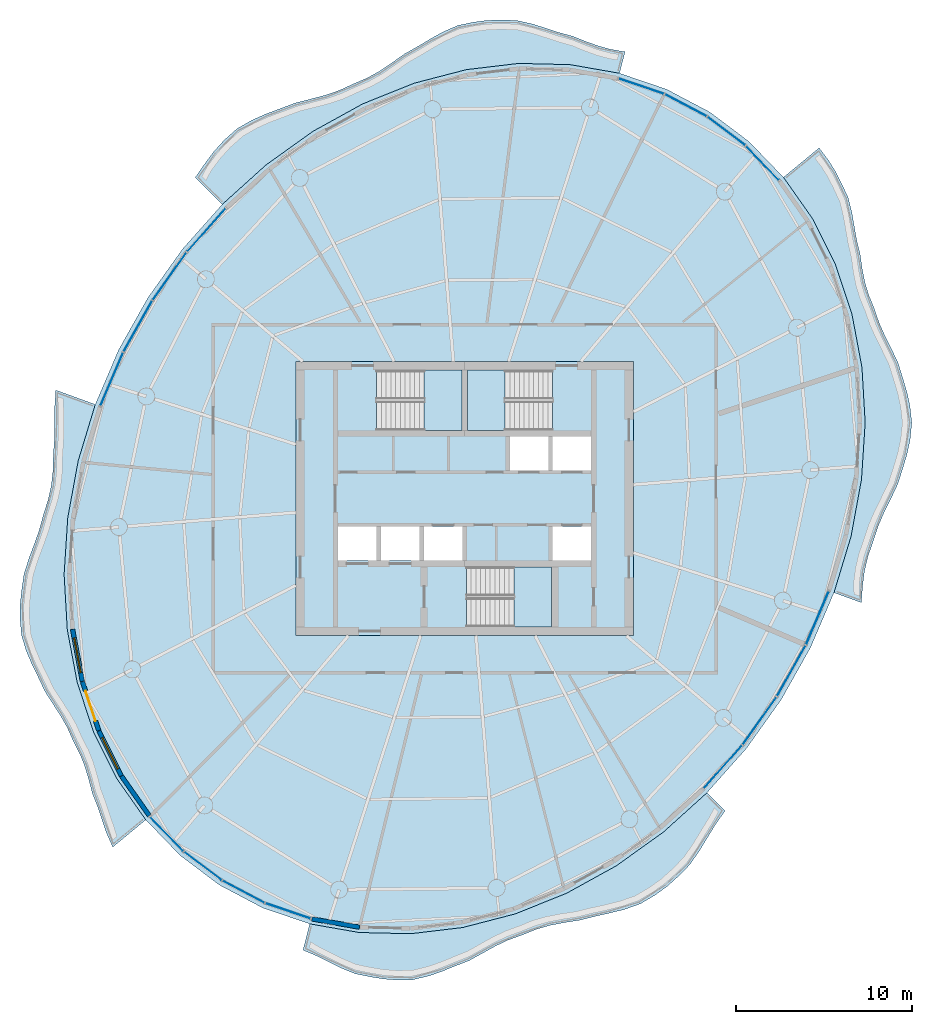
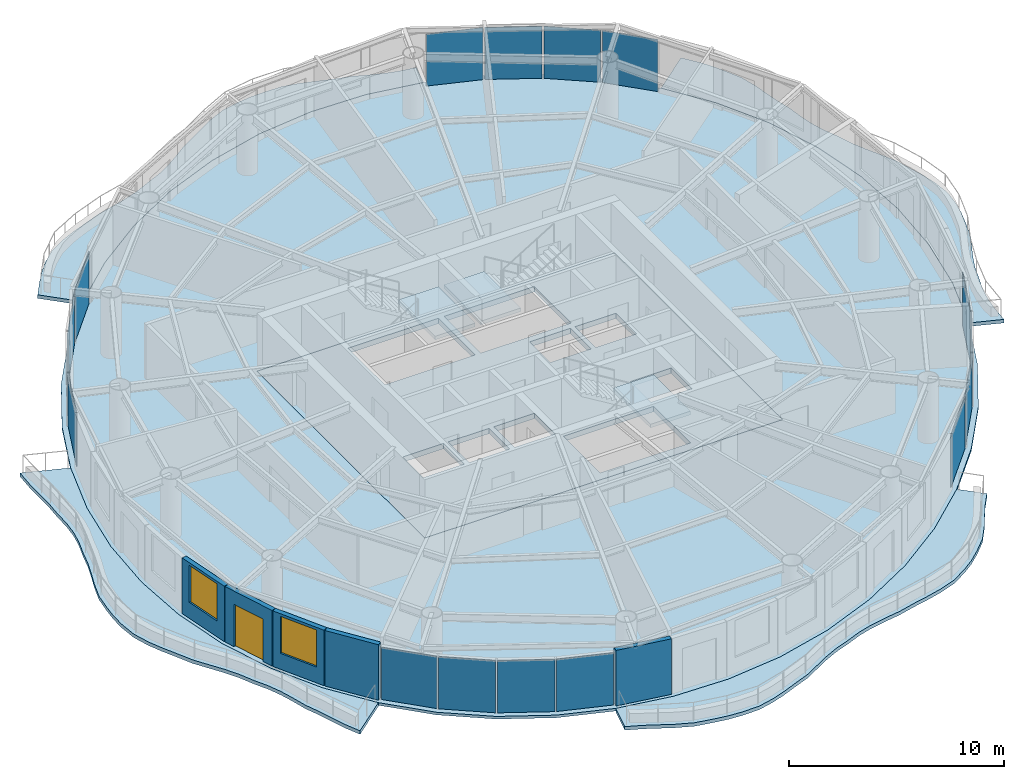
# One storey, part 7 of 14: 16 plates, 9 slabs, 5 walls, 2 windows, 1 door, 3 openings, 19 elements without a shape of their own.
"""IFC4 building model written with IfcOpenShell, lengths in metres."""

from ifc_helpers import new_model, si_unit, direction, frame, frame_2d, origin, origin_2d, place, context, subcontext, project, spatial, polyline, rectangle, outline, extrude, material, layer, layer_set, type_object, element, fill, aggregate, save


model = new_model("IFC4")

# Units and contexts
model_context = context("Model", 3, precision=1e-05, world=origin(), true_north=direction((0.0, 1.0)))
body_context = subcontext(model_context, "Body", "Model", "MODEL_VIEW")
ifc_project = project(units=[si_unit("LENGTHUNIT", "METRE"), si_unit("AREAUNIT", "SQUARE_METRE"), si_unit("VOLUMEUNIT", "CUBIC_METRE"), si_unit("PLANEANGLEUNIT", "RADIAN"), si_unit("MASSUNIT", "GRAM", prefix="KILO")], contexts=[model_context])

# Site, building, storey
site_placement = place(None, origin())
site = spatial("IfcSite", under=ifc_project, at=site_placement, CompositionType="ELEMENT")
building_placement = place(site_placement, origin())
building = spatial("IfcBuilding", under=site, at=building_placement, Name="Vermilion Reach Broadcast Tower", CompositionType="ELEMENT")
storey_placement = place(building_placement, frame((0.0, 0.0, 264.89990234375)))
storey = spatial("IfcBuildingStorey", under=building, at=storey_placement, Name="L65", CompositionType="ELEMENT", Elevation=264.89990234375)

# Slabs
ifc_material_1 = material(Name="Concrete C40/50", Category="concrete")
ifc_layer_1 = layer(ifc_material_1, 0.199951171875)
ifc_layer_set_1 = layer_set([ifc_layer_1], Name="Balcony slab 200")
slab_type_1 = type_object("IfcSlabType", Name="Balcony slab 200", PredefinedType="FLOOR", material=ifc_layer_set_1)
placement_1 = place(storey_placement, frame((0.0, 0.0, -0.199951171875)))
element("IfcSlab", 1, at=placement_1, inside=storey, type_object=slab_type_1, Name="Balcony slab L65 group 1", PredefinedType="FLOOR", context=body_context, shape_type="SweptSolid", body=[
    extrude(outline(polyline([(2.812744140625, 24.19140625), (-0.005126953125, 24.68310546875), (-2.92529296875, 24.75244140625), (-5.898193359375, 24.398193359375), (-8.872802734375, 23.626708984375), (-11.79833984375, 22.45068359375), (-14.62451171875, 20.890625), (-17.30322265625, 18.97314453125), (-19.78857421875, 16.73095703125), (-21.32763671875, 18.259765625), (-20.767822265625, 19.06591796875), (-20.25732421875, 19.749267578125), (-19.693603515625, 20.37353515625), (-18.958251953125, 21.02978515625), (-18.11328125, 21.51953125), (-17.344970703125, 21.861328125), (-16.54541015625, 22.159423828125), (-15.640625, 22.501220703125), (-14.7216796875, 22.73681640625), (-13.917236328125, 22.949462890625), (-13.141845703125, 23.214599609375), (-12.336669921875, 23.584716796875), (-11.541259765625, 23.925048828125), (-10.8466796875, 24.310302734375), (-10.177490234375, 24.758544921875), (-9.421630859375, 25.2939453125), (-8.627197265625, 25.739501953125), (-7.94091796875, 26.1533203125), (-7.2470703125, 26.538818359375), (-6.372802734375, 26.918212890625), (-5.467041015625, 27.10546875), (-4.724609375, 27.2001953125), (-3.973388671875, 27.22216796875), (-3.04150390625, 27.198974609375), (-2.1416015625, 26.9970703125), (-1.41650390625, 26.767822265625), (-0.691650390625, 26.528564453125), (0.154296875, 26.298583984375), (0.94775390625, 25.984130859375), (1.630859375, 25.738525390625), (2.32421875, 25.552734375), (3.12548828125, 25.416015625), (2.812744140625, 24.19140625)])), origin(), (0.0, 0.0, 1.0), 0.199951171875),
])
element("IfcSlab", 2, at=placement_1, inside=storey, type_object=slab_type_1, Name="Balcony slab L65 group 2", PredefinedType="FLOOR", context=body_context, shape_type="SweptSolid", body=[
    extrude(outline(polyline([(-27.009521484375, 5.3525390625), (-27.980224609375, 2.149169921875), (-28.57470703125, -1.091064453125), (-28.78271484375, -4.3125), (-28.60107421875, -7.460205078125), (-28.03271484375, -10.48046875), (-27.08740234375, -13.321044921875), (-25.78125, -15.933837890625), (-24.13671875, -18.274169921875), (-26.015869140625, -19.824462890625), (-26.387939453125, -18.982177734375), (-26.62841796875, -18.277099609375), (-26.861572265625, -17.567138671875), (-27.17431640625, -16.76513671875), (-27.397216796875, -15.92529296875), (-27.61181640625, -15.216064453125), (-27.883544921875, -14.535400390625), (-28.258056640625, -13.8056640625), (-28.599365234375, -13.035400390625), (-28.972900390625, -12.370849609375), (-29.392578125, -11.7216796875), (-29.880126953125, -10.959228515625), (-30.274169921875, -10.120361328125), (-30.624267578125, -9.404541015625), (-30.930908203125, -8.680419921875), (-31.206787109375, -7.779296875), (-31.291259765625, -6.825927734375), (-31.28466796875, -6.0361328125), (-31.2021484375, -5.24169921875), (-31.067138671875, -4.3046875), (-30.773193359375, -3.375244140625), (-30.476806640625, -2.585693359375), (-30.1982421875, -1.794921875), (-29.96044921875, -0.919677734375), (-29.68505859375, -0.050048828125), (-29.50830078125, 0.7548828125), (-29.41943359375, 1.575927734375), (-29.39599609375, 2.4921875), (-29.32958984375, 3.432373046875), (-29.323486328125, 4.3046875), (-29.322021484375, 5.1787109375), (-29.255859375, 6.169921875), (-27.009521484375, 5.3525390625)])), origin(), (0.0, 0.0, 1.0), 0.199951171875),
])
element("IfcSlab", 3, at=placement_1, inside=storey, type_object=slab_type_1, Name="Balcony slab L65 group 3", PredefinedType="FLOOR", context=body_context, shape_type="SweptSolid", body=[
    extrude(outline(polyline([(-14.812744140625, -24.19140625), (-11.994873046875, -24.68310546875), (-9.07470703125, -24.75244140625), (-6.101806640625, -24.398193359375), (-3.127197265625, -23.626708984375), (-0.20166015625, -22.45068359375), (2.62451171875, -20.890625), (5.30322265625, -18.97314453125), (7.78857421875, -16.73095703125), (8.81982421875, -17.75537109375), (8.27880859375, -18.52392578125), (7.82275390625, -19.267333984375), (7.370361328125, -20.015380859375), (6.7998046875, -20.8330078125), (6.1171875, -21.525146484375), (5.49951171875, -22.0771484375), (4.83056640625, -22.557373046875), (3.98876953125, -23.05322265625), (3.07421875, -23.37548828125), (2.26416015625, -23.577880859375), (1.4404296875, -23.755859375), (0.52685546875, -23.9853515625), (-0.377197265625, -24.127685546875), (-1.164794921875, -24.281494140625), (-1.926025390625, -24.50146484375), (-2.732177734375, -24.82666015625), (-3.534423828125, -25.116455078125), (-4.2412109375, -25.451416015625), (-4.93505859375, -25.836181640625), (-5.746826171875, -26.2822265625), (-6.592041015625, -26.61083984375), (-7.310791015625, -26.904052734375), (-8.03466796875, -27.156005859375), (-8.950439453125, -27.37109375), (-9.86767578125, -27.38427734375), (-10.596923828125, -27.33154296875), (-11.324462890625, -27.2119140625), (-12.226318359375, -27.031494140625), (-13.0703125, -26.68603515625), (-13.73779296875, -26.35107421875), (-14.4052734375, -26.016845703125), (-15.193603515625, -25.683349609375), (-14.812744140625, -24.19140625)])), origin(), (0.0, 0.0, 1.0), 0.199951171875),
])
element("IfcSlab", 4, at=placement_1, inside=storey, type_object=slab_type_1, Name="Balcony slab L65 group 4", PredefinedType="FLOOR", context=body_context, shape_type="SweptSolid", body=[
    extrude(outline(polyline([(15.009521484375, -5.3525390625), (15.980224609375, -2.149169921875), (16.57470703125, 1.091064453125), (16.78271484375, 4.3125), (16.60107421875, 7.460205078125), (16.03271484375, 10.48046875), (15.08740234375, 13.321044921875), (13.78125, 15.933837890625), (12.13671875, 18.274169921875), (14.164306640625, 19.947265625), (14.7158203125, 19.212646484375), (15.095458984375, 18.60546875), (15.422607421875, 17.96142578125), (15.806640625, 17.142822265625), (16.033203125, 16.2431640625), (16.162841796875, 15.491455078125), (16.2939453125, 14.74072265625), (16.494873046875, 13.903564453125), (16.619140625, 13.0419921875), (16.767822265625, 12.302490234375), (16.984130859375, 11.585693359375), (17.298828125, 10.80859375), (17.580322265625, 9.98974609375), (17.902099609375, 9.2685546875), (18.260986328125, 8.554443359375), (18.6572265625, 7.712158203125), (18.935791015625, 6.805419921875), (19.16650390625, 6.029296875), (19.33544921875, 5.24951171875), (19.4375, 4.303466796875), (19.338623046875, 3.338623046875), (19.1689453125, 2.541015625), (18.932373046875, 1.74755859375), (18.64404296875, 0.835205078125), (18.227294921875, -0.04931640625), (17.847412109375, -0.817138671875), (17.51220703125, -1.5927734375), (17.23193359375, -2.45263671875), (16.934326171875, -3.3125), (16.74609375, -4.1298828125), (16.638916015625, -4.9716796875), (16.568603515625, -5.919921875), (15.009521484375, -5.3525390625)])), origin(), (0.0, 0.0, 1.0), 0.199951171875),
])
ifc_material_2 = material(Name="Concrete C40", Category="concrete")
ifc_layer_2 = layer(ifc_material_2, 0.300048828125)
ifc_layer_set_2 = layer_set([ifc_layer_2], Name="Core floor slab 300 mm Concrete C40")
slab_type_2 = type_object("IfcSlabType", Name="Core floor slab 300 mm Concrete C40", PredefinedType="FLOOR", material=ifc_layer_set_2)
slab_5_placement = place(storey_placement, frame((0.0, 0.0, -0.2998046875)))
element("IfcSlab", 5, at=slab_5_placement, inside=storey, type_object=slab_type_2, Name="L65 core floor", PredefinedType="FLOOR", context=body_context, shape_type="SweptSolid", body=[
    extrude(outline(polyline([(-15.60009765625, -7.800048828125), (3.60009765625, -7.800048828125), (3.60009765625, 7.800048828125), (-15.60009765625, 7.800048828125), (-15.60009765625, -7.800048828125)]), holes=[polyline([(-3.433349609375, 1.60009765625), (-1.24169921875, 1.60009765625), (-1.24169921875, 3.530029296875), (-3.433349609375, 3.530029296875), (-3.433349609375, 1.60009765625)]), polyline([(-0.99169921875, 1.60009765625), (1.199951171875, 1.60009765625), (1.199951171875, 3.530029296875), (-0.99169921875, 3.530029296875), (-0.99169921875, 1.60009765625)]), polyline([(-13.199951171875, -3.530029296875), (-11.00830078125, -3.530029296875), (-11.00830078125, -1.60009765625), (-13.199951171875, -1.60009765625), (-13.199951171875, -3.530029296875)]), polyline([(-10.75830078125, -3.530029296875), (-8.566650390625, -3.530029296875), (-8.566650390625, -1.60009765625), (-10.75830078125, -1.60009765625), (-10.75830078125, -3.530029296875)]), polyline([(-8.316650390625, -3.530029296875), (-6.125, -3.530029296875), (-6.125, -1.60009765625), (-8.316650390625, -1.60009765625), (-8.316650390625, -3.530029296875)]), polyline([(-0.99169921875, -3.530029296875), (1.199951171875, -3.530029296875), (1.199951171875, -1.60009765625), (-0.99169921875, -1.60009765625), (-0.99169921875, -3.530029296875)]), polyline([(-10.999267578125, 3.8798828125), (-6.14990234375, 3.8798828125), (-6.14990234375, 7.300048828125), (-10.999267578125, 7.300048828125), (-10.999267578125, 3.8798828125)]), polyline([(-1.000732421875, 7.300048828125), (-5.85009765625, 7.300048828125), (-5.85009765625, 3.8798828125), (-1.000732421875, 3.8798828125), (-1.000732421875, 7.300048828125)]), polyline([(-5.8994140625, -7.300048828125), (-1.050048828125, -7.300048828125), (-1.050048828125, -3.8798828125), (-5.8994140625, -3.8798828125), (-5.8994140625, -7.300048828125)])]), origin(), (0.0, 0.0, 1.0), 0.2998046875),
])

# Stair, slab
ifc_material_3 = material(Name="Concrete C40", Category="concrete")
stair_type = type_object("IfcStairType", Name="Exit stair RC 22 risers 164 mm", PredefinedType="HALF_TURN_STAIR", material=ifc_material_3)
placement_2 = place(storey_placement, origin())
stair_1 = element("IfcStair", 6, at=placement_2, inside=storey, type_object=stair_type, Name="L65 Exit stair ST1", PredefinedType="HALF_TURN_STAIR")
ifc_material_4 = material(Name="Concrete C40", Category="concrete")
ifc_layer_3 = layer(ifc_material_4, 0.199951171875)
ifc_layer_set_3 = layer_set([ifc_layer_3], Name="Exit stair landing Concrete C40")
slab_type_3 = type_object("IfcSlabType", Name="Exit stair landing Concrete C40", PredefinedType="LANDING", material=ifc_layer_set_3)
placement_3 = place(storey_placement, frame((0.0, 0.0, 1.60009765625)))
slab_6 = element("IfcSlab", 7, at=placement_3, type_object=slab_type_3, Name="ST1 landing 1", PredefinedType="LANDING", context=body_context, shape_type="SweptSolid", body=[
    extrude(outline(polyline([(-8.300048828125, 3.8798828125), (-6.14990234375, 3.8798828125), (-6.14990234375, 7.300048828125), (-8.300048828125, 7.300048828125), (-8.300048828125, 3.8798828125)])), origin(), (0.0, 0.0, 1.0), 0.199951171875),
])
aggregate(stair_1, [slab_6])

stair_2 = element("IfcStair", 8, at=placement_2, inside=storey, type_object=stair_type, Name="L65 Exit stair ST2", PredefinedType="HALF_TURN_STAIR")
slab_7 = element("IfcSlab", 9, at=placement_3, type_object=slab_type_3, Name="ST2 landing 1", PredefinedType="LANDING", context=body_context, shape_type="SweptSolid", body=[
    extrude(outline(polyline([(-3.699951171875, 7.300048828125), (-5.85009765625, 7.300048828125), (-5.85009765625, 3.8798828125), (-3.699951171875, 3.8798828125), (-3.699951171875, 7.300048828125)])), origin(), (0.0, 0.0, 1.0), 0.199951171875),
])
aggregate(stair_2, [slab_7])

stair_3 = element("IfcStair", 10, at=placement_2, inside=storey, type_object=stair_type, Name="L65 Exit stair ST3", PredefinedType="HALF_TURN_STAIR")
slab_8 = element("IfcSlab", 11, at=placement_3, type_object=slab_type_3, Name="ST3 landing 1", PredefinedType="LANDING", context=body_context, shape_type="SweptSolid", body=[
    extrude(outline(polyline([(-3.199951171875, -7.300048828125), (-1.050048828125, -7.300048828125), (-1.050048828125, -3.8798828125), (-3.199951171875, -3.8798828125), (-3.199951171875, -7.300048828125)])), origin(), (0.0, 0.0, 1.0), 0.199951171875),
])
aggregate(stair_3, [slab_8])

# Slab
ifc_material_5 = material(Name="Concrete C40", Category="concrete")
ifc_layer_4 = layer(ifc_material_5, 0.14990234375)
ifc_layer_set_4 = layer_set([ifc_layer_4], Name="Floor slab Concrete C40 composite 150")
slab_type_4 = type_object("IfcSlabType", Name="Floor slab Concrete C40 composite 150", PredefinedType="FLOOR", material=ifc_layer_set_4)
slab_9_placement = place(storey_placement, frame((0.0, 0.0, -0.14990234375)))
element("IfcSlab", 12, at=slab_9_placement, inside=storey, type_object=slab_type_4, Name="Floor slab L65", PredefinedType="FLOOR", context=body_context, shape_type="SweptSolid", body=[
    extrude(outline(polyline([(7.949951171875, 21.981689453125), (5.4794921875, 23.285888671875), (2.812744140625, 24.19140625), (-0.005126953125, 24.68310546875), (-2.92529296875, 24.75244140625), (-5.898193359375, 24.398193359375), (-8.872802734375, 23.626708984375), (-11.79833984375, 22.45068359375), (-14.62451171875, 20.890625), (-17.30322265625, 18.97314453125), (-19.78857421875, 16.73095703125), (-22.037841796875, 14.20263671875), (-24.012939453125, 11.431396484375), (-25.6796875, 8.46435546875), (-27.009521484375, 5.3525390625), (-27.980224609375, 2.149169921875), (-28.57470703125, -1.091064453125), (-28.78271484375, -4.3125), (-28.60107421875, -7.460205078125), (-28.03271484375, -10.48046875), (-27.08740234375, -13.321044921875), (-25.78125, -15.933837890625), (-24.13671875, -18.274169921875), (-22.181884765625, -20.301513671875), (-19.949951171875, -21.981689453125), (-17.4794921875, -23.285888671875), (-14.812744140625, -24.19140625), (-11.994873046875, -24.68310546875), (-9.07470703125, -24.75244140625), (-6.101806640625, -24.398193359375), (-3.127197265625, -23.626708984375), (-0.20166015625, -22.45068359375), (2.62451171875, -20.890625), (5.30322265625, -18.97314453125), (7.78857421875, -16.73095703125), (10.037841796875, -14.20263671875), (12.012939453125, -11.431396484375), (13.6796875, -8.46435546875), (15.009521484375, -5.3525390625), (15.980224609375, -2.149169921875), (16.57470703125, 1.091064453125), (16.78271484375, 4.3125), (16.60107421875, 7.460205078125), (16.03271484375, 10.48046875), (15.08740234375, 13.321044921875), (13.78125, 15.933837890625), (12.13671875, 18.274169921875), (10.181884765625, 20.301513671875), (7.949951171875, 21.981689453125)]), holes=[polyline([(-15.60009765625, -7.800048828125), (3.60009765625, -7.800048828125), (3.60009765625, 7.800048828125), (-15.60009765625, 7.800048828125), (-15.60009765625, -7.800048828125)])]), origin(), (0.0, 0.0, 1.0), 0.14990234375),
])

# Curtain wall, plate
ifc_material_6 = material(Name="Low-e laminated clear glass in aluminium frame", Category="aluminium")
curtain_wall_type = type_object("IfcCurtainWallType", Name="Slot curtain wall", PredefinedType="NOTDEFINED", material=ifc_material_6)
curtain_wall_1 = element("IfcCurtainWall", 13, at=placement_2, inside=storey, type_object=curtain_wall_type, Name="Slot curtain wall L65 46", PredefinedType="NOTDEFINED")
ifc_material_7 = material(Name="Low-e laminated clear glass", Category="glass")
ifc_layer_5 = layer(ifc_material_7, 0.028076171875)
ifc_layer_set_5 = layer_set([ifc_layer_5], Name="Slot glass panel")
plate_type = type_object("IfcPlateType", Name="Slot glass panel", PredefinedType="CURTAIN_PANEL", material=ifc_layer_set_5)
plate_1_placement = place(storey_placement, frame((10.944091796875, 19.080078125, 0.0), z_axis=(0.0, 0.0, 1.0), x_axis=(-0.694098684094, 0.719879862712, 0.0)))
plate_1 = element("IfcPlate", 14, at=plate_1_placement, type_object=plate_type, Name="Slot glass panel L65 46", PredefinedType="CURTAIN_PANEL", context=body_context, shape_type="SweptSolid", body=[
    extrude(rectangle(XDim=2.689453125, YDim=0.028076171875, at=origin_2d()), origin(), (0.0, 0.0, 1.0), 2.949951171875),
])
aggregate(curtain_wall_1, [plate_1])

curtain_wall_2 = element("IfcCurtainWall", 15, at=placement_2, inside=storey, type_object=curtain_wall_type, Name="Slot curtain wall L65 47", PredefinedType="NOTDEFINED")
plate_2_placement = place(storey_placement, frame((8.88623046875, 20.90283203125, 0.0), z_axis=(0.0, 0.0, 1.0), x_axis=(-0.798916430414, 0.601442048093, 0.0)))
plate_2 = element("IfcPlate", 16, at=plate_2_placement, type_object=plate_type, Name="Slot glass panel L65 47", PredefinedType="CURTAIN_PANEL", context=body_context, shape_type="SweptSolid", body=[
    extrude(rectangle(XDim=2.665771484375, YDim=0.028076171875, at=origin_2d()), origin(), (0.0, 0.0, 1.0), 2.949951171875),
])
aggregate(curtain_wall_2, [plate_2])

curtain_wall_3 = element("IfcCurtainWall", 17, at=placement_2, inside=storey, type_object=curtain_wall_type, Name="Slot curtain wall L65 00", PredefinedType="NOTDEFINED")
plate_3_placement = place(storey_placement, frame((6.5751953125, 22.369384765625, 0.0), z_axis=(0.0, 0.0, 1.0), x_axis=(-0.884363040698, 0.466799756049, 0.0)))
plate_3 = element("IfcPlate", 18, at=plate_3_placement, type_object=plate_type, Name="Slot glass panel L65 00", PredefinedType="CURTAIN_PANEL", context=body_context, shape_type="SweptSolid", body=[
    extrude(rectangle(XDim=2.665771484375, YDim=0.028076171875, at=origin_2d()), origin(), (0.0, 0.0, 1.0), 2.949951171875),
])
aggregate(curtain_wall_3, [plate_3])

curtain_wall_4 = element("IfcCurtainWall", 19, at=placement_2, inside=storey, type_object=curtain_wall_type, Name="Slot curtain wall L65 01", PredefinedType="NOTDEFINED")
plate_4_placement = place(storey_placement, frame((4.0498046875, 23.455322265625, 0.0), z_axis=(0.0, 0.0, 1.0), x_axis=(-0.946899691269, 0.321529119481, 0.0)))
plate_4 = element("IfcPlate", 20, at=plate_4_placement, type_object=plate_type, Name="Slot glass panel L65 01", PredefinedType="CURTAIN_PANEL", context=body_context, shape_type="SweptSolid", body=[
    extrude(rectangle(XDim=2.689453125, YDim=0.028076171875, at=origin_2d()), origin(), (0.0, 0.0, 1.0), 2.949951171875),
])
aggregate(curtain_wall_4, [plate_4])

curtain_wall_5 = element("IfcCurtainWall", 21, at=placement_2, inside=storey, type_object=curtain_wall_type, Name="Slot curtain wall L65 10", PredefinedType="NOTDEFINED")
plate_5_placement = place(storey_placement, frame((-20.689453125, 15.267822265625, 0.0), z_axis=(0.0, 0.0, 1.0), x_axis=(-0.664676834087, -0.747130983314, 0.0)))
plate_5 = element("IfcPlate", 22, at=plate_5_placement, type_object=plate_type, Name="Slot glass panel L65 10", PredefinedType="CURTAIN_PANEL", context=body_context, shape_type="SweptSolid", body=[
    extrude(rectangle(XDim=3.271484375, YDim=0.028076171875, at=origin_2d()), origin(), (0.0, 0.0, 1.0), 2.949951171875),
])
aggregate(curtain_wall_5, [plate_5])

curtain_wall_6 = element("IfcCurtainWall", 23, at=placement_2, inside=storey, type_object=curtain_wall_type, Name="Slot curtain wall L65 11", PredefinedType="NOTDEFINED")
plate_6_placement = place(storey_placement, frame((-22.781494140625, 12.64306640625, 0.0), z_axis=(0.0, 0.0, 1.0), x_axis=(-0.580337878768, -0.814375801744, 0.0)))
plate_6 = element("IfcPlate", 24, at=plate_6_placement, type_object=plate_type, Name="Slot glass panel L65 11", PredefinedType="CURTAIN_PANEL", context=body_context, shape_type="SweptSolid", body=[
    extrude(rectangle(XDim=3.290771484375, YDim=0.028076171875, at=origin_2d()), origin(), (0.0, 0.0, 1.0), 2.949951171875),
])
aggregate(curtain_wall_6, [plate_6])

curtain_wall_7 = element("IfcCurtainWall", 25, at=placement_2, inside=storey, type_object=curtain_wall_type, Name="Slot curtain wall L65 12", PredefinedType="NOTDEFINED")
plate_7_placement = place(storey_placement, frame((-24.5849609375, 9.801025390625, 0.0), z_axis=(0.0, 0.0, 1.0), x_axis=(-0.489773395541, -0.871849769754, 0.0)))
plate_7 = element("IfcPlate", 26, at=plate_7_placement, type_object=plate_type, Name="Slot glass panel L65 12", PredefinedType="CURTAIN_PANEL", context=body_context, shape_type="SweptSolid", body=[
    extrude(rectangle(XDim=3.290771484375, YDim=0.028076171875, at=origin_2d()), origin(), (0.0, 0.0, 1.0), 2.949951171875),
])
aggregate(curtain_wall_7, [plate_7])

curtain_wall_8 = element("IfcCurtainWall", 27, at=placement_2, inside=storey, type_object=curtain_wall_type, Name="Slot curtain wall L65 13", PredefinedType="NOTDEFINED")
plate_8_placement = place(storey_placement, frame((-26.069091796875, 6.790771484375, 0.0), z_axis=(0.0, 0.0, 1.0), x_axis=(-0.393018640522, -0.919530504226, 0.0)))
plate_8 = element("IfcPlate", 28, at=plate_8_placement, type_object=plate_type, Name="Slot glass panel L65 13", PredefinedType="CURTAIN_PANEL", context=body_context, shape_type="SweptSolid", body=[
    extrude(rectangle(XDim=3.271484375, YDim=0.028076171875, at=origin_2d()), origin(), (0.0, 0.0, 1.0), 2.949951171875),
])
aggregate(curtain_wall_8, [plate_8])

curtain_wall_9 = element("IfcCurtainWall", 29, at=placement_2, inside=storey, type_object=curtain_wall_type, Name="Slot curtain wall L65 22", PredefinedType="NOTDEFINED")
plate_9_placement = place(storey_placement, frame((-22.944091796875, -19.080078125, 0.0), z_axis=(0.0, 0.0, 1.0), x_axis=(0.694098684094, -0.719879862712, 0.0)))
plate_9 = element("IfcPlate", 30, at=plate_9_placement, type_object=plate_type, Name="Slot glass panel L65 22", PredefinedType="CURTAIN_PANEL", context=body_context, shape_type="SweptSolid", body=[
    extrude(rectangle(XDim=2.689453125, YDim=0.028076171875, at=origin_2d()), origin(), (0.0, 0.0, 1.0), 2.949951171875),
])
aggregate(curtain_wall_9, [plate_9])

curtain_wall_10 = element("IfcCurtainWall", 31, at=placement_2, inside=storey, type_object=curtain_wall_type, Name="Slot curtain wall L65 23", PredefinedType="NOTDEFINED")
plate_10_placement = place(storey_placement, frame((-20.88623046875, -20.90283203125, 0.0), z_axis=(0.0, 0.0, 1.0), x_axis=(0.798916430414, -0.601442048093, 0.0)))
plate_10 = element("IfcPlate", 32, at=plate_10_placement, type_object=plate_type, Name="Slot glass panel L65 23", PredefinedType="CURTAIN_PANEL", context=body_context, shape_type="SweptSolid", body=[
    extrude(rectangle(XDim=2.665771484375, YDim=0.028076171875, at=origin_2d()), origin(), (0.0, 0.0, 1.0), 2.949951171875),
])
aggregate(curtain_wall_10, [plate_10])

curtain_wall_11 = element("IfcCurtainWall", 33, at=placement_2, inside=storey, type_object=curtain_wall_type, Name="Slot curtain wall L65 24", PredefinedType="NOTDEFINED")
plate_11_placement = place(storey_placement, frame((-18.5751953125, -22.369384765625, 0.0), z_axis=(0.0, 0.0, 1.0), x_axis=(0.884363040698, -0.466799756049, 0.0)))
plate_11 = element("IfcPlate", 34, at=plate_11_placement, type_object=plate_type, Name="Slot glass panel L65 24", PredefinedType="CURTAIN_PANEL", context=body_context, shape_type="SweptSolid", body=[
    extrude(rectangle(XDim=2.665771484375, YDim=0.028076171875, at=origin_2d()), origin(), (0.0, 0.0, 1.0), 2.949951171875),
])
aggregate(curtain_wall_11, [plate_11])

curtain_wall_12 = element("IfcCurtainWall", 35, at=placement_2, inside=storey, type_object=curtain_wall_type, Name="Slot curtain wall L65 25", PredefinedType="NOTDEFINED")
plate_12_placement = place(storey_placement, frame((-16.0498046875, -23.455322265625, 0.0), z_axis=(0.0, 0.0, 1.0), x_axis=(0.946899691269, -0.321529119481, 0.0)))
plate_12 = element("IfcPlate", 36, at=plate_12_placement, type_object=plate_type, Name="Slot glass panel L65 25", PredefinedType="CURTAIN_PANEL", context=body_context, shape_type="SweptSolid", body=[
    extrude(rectangle(XDim=2.689453125, YDim=0.028076171875, at=origin_2d()), origin(), (0.0, 0.0, 1.0), 2.949951171875),
])
aggregate(curtain_wall_12, [plate_12])

curtain_wall_13 = element("IfcCurtainWall", 37, at=placement_2, inside=storey, type_object=curtain_wall_type, Name="Slot curtain wall L65 34", PredefinedType="NOTDEFINED")
plate_13_placement = place(storey_placement, frame((8.689453125, -15.267822265625, 0.0), z_axis=(0.0, 0.0, 1.0), x_axis=(0.664676834087, 0.747130983314, 0.0)))
plate_13 = element("IfcPlate", 38, at=plate_13_placement, type_object=plate_type, Name="Slot glass panel L65 34", PredefinedType="CURTAIN_PANEL", context=body_context, shape_type="SweptSolid", body=[
    extrude(rectangle(XDim=3.271484375, YDim=0.028076171875, at=origin_2d()), origin(), (0.0, 0.0, 1.0), 2.949951171875),
])
aggregate(curtain_wall_13, [plate_13])

curtain_wall_14 = element("IfcCurtainWall", 39, at=placement_2, inside=storey, type_object=curtain_wall_type, Name="Slot curtain wall L65 35", PredefinedType="NOTDEFINED")
plate_14_placement = place(storey_placement, frame((10.781494140625, -12.64306640625, 0.0), z_axis=(0.0, 0.0, 1.0), x_axis=(0.580337878768, 0.814375801744, 0.0)))
plate_14 = element("IfcPlate", 40, at=plate_14_placement, type_object=plate_type, Name="Slot glass panel L65 35", PredefinedType="CURTAIN_PANEL", context=body_context, shape_type="SweptSolid", body=[
    extrude(rectangle(XDim=3.290771484375, YDim=0.028076171875, at=origin_2d()), origin(), (0.0, 0.0, 1.0), 2.949951171875),
])
aggregate(curtain_wall_14, [plate_14])

curtain_wall_15 = element("IfcCurtainWall", 41, at=placement_2, inside=storey, type_object=curtain_wall_type, Name="Slot curtain wall L65 36", PredefinedType="NOTDEFINED")
plate_15_placement = place(storey_placement, frame((12.5849609375, -9.801025390625, 0.0), z_axis=(0.0, 0.0, 1.0), x_axis=(0.489773395541, 0.871849769754, 0.0)))
plate_15 = element("IfcPlate", 42, at=plate_15_placement, type_object=plate_type, Name="Slot glass panel L65 36", PredefinedType="CURTAIN_PANEL", context=body_context, shape_type="SweptSolid", body=[
    extrude(rectangle(XDim=3.290771484375, YDim=0.028076171875, at=origin_2d()), origin(), (0.0, 0.0, 1.0), 2.949951171875),
])
aggregate(curtain_wall_15, [plate_15])

curtain_wall_16 = element("IfcCurtainWall", 43, at=placement_2, inside=storey, type_object=curtain_wall_type, Name="Slot curtain wall L65 37", PredefinedType="NOTDEFINED")
plate_16_placement = place(storey_placement, frame((14.069091796875, -6.790771484375, 0.0), z_axis=(0.0, 0.0, 1.0), x_axis=(0.393018640522, 0.919530504226, 0.0)))
plate_16 = element("IfcPlate", 44, at=plate_16_placement, type_object=plate_type, Name="Slot glass panel L65 37", PredefinedType="CURTAIN_PANEL", context=body_context, shape_type="SweptSolid", body=[
    extrude(rectangle(XDim=3.271484375, YDim=0.028076171875, at=origin_2d()), origin(), (0.0, 0.0, 1.0), 2.949951171875),
])
aggregate(curtain_wall_16, [plate_16])

# Wall, opening, window
ifc_material_8 = material(Name="Terracotta rainscreen cladding", Category="masonry")
ifc_layer_6 = layer(ifc_material_8, 0.25)
ifc_layer_set_6 = layer_set([ifc_layer_6], Name="Terracotta rainscreen wall 250")
wall_type = type_object("IfcWallType", Name="Terracotta rainscreen wall 250", PredefinedType="SOLIDWALL", material=ifc_layer_set_6)
wall_1_placement = place(storey_placement, frame((-28.301025390625, -7.43603515625, 0.0), z_axis=(0.0, 0.0, 1.0), x_axis=(0.184915563493, -0.982754412037, 0.0)))
wall_1 = element("IfcWall", 45, at=wall_1_placement, inside=storey, type_object=wall_type, Name="External wall L65 18", PredefinedType="SOLIDWALL", context=body_context, shape_type="SweptSolid", body=[
    extrude(rectangle(XDim=3.009033203125, YDim=0.25, at=frame_2d((1.50439453125, 0.0))), origin(), (0.0, 0.0, 1.0), 3.150146484375),
])
opening_1_placement = place(wall_1_placement, frame((0.504638671875, 0.0, 0.89990234375)))
opening_1 = element("IfcOpeningElement", 46, at=opening_1_placement, cuts=wall_1, Name="Opening W03", PredefinedType="OPENING", context=body_context, shape_type="SweptSolid", body=[
    extrude(rectangle(XDim=2.0, YDim=2.10009765625, at=frame_2d((1.0, 1.050048828125))), frame((0.0, 0.135009765625, 0.0), z_axis=(0.0, -1.0, 0.0), x_axis=(1.0, 0.0, 0.0)), (0.0, 0.0, 1.0), 0.27001953125),
])
ifc_material_9 = material(Name="Low-e laminated clear glass in aluminium frame", Category="aluminium")
window_type = type_object("IfcWindowType", Name="Punched window 2000 x 2100 sill 900", PartitioningType="SINGLE_PANEL", PredefinedType="WINDOW", material=ifc_material_9)
window_1_placement = place(opening_1_placement, origin())
window_1 = element("IfcWindow", 47, at=window_1_placement, inside=storey, type_object=window_type, Name="Window L65 18", OverallHeight=2.10009765625, OverallWidth=2.0, PartitioningType="SINGLE_PANEL", PredefinedType="WINDOW", context=body_context, shape_type="SweptSolid", body=[
    extrude(rectangle(XDim=2.0, YDim=2.10009765625, at=frame_2d((1.0, 1.050048828125))), frame((0.0, 0.030029296875, 0.0), z_axis=(0.0, -1.0, 0.0), x_axis=(1.0, 0.0, 0.0)), (0.0, 0.0, 1.0), 0.06005859375),
])
fill(opening_1, window_1)

# Wall, opening, door
wall_2_placement = place(storey_placement, frame((-27.738525390625, -10.417236328125, 0.0), z_axis=(0.0, 0.0, 1.0), x_axis=(0.315802326968, -0.948825005089, 0.0)))
wall_2 = element("IfcWall", 48, at=wall_2_placement, inside=storey, type_object=wall_type, Name="External wall L65 19", PredefinedType="SOLIDWALL", context=body_context, shape_type="SweptSolid", body=[
    extrude(rectangle(XDim=2.927001953125, YDim=0.25, at=frame_2d((1.46337890625, 0.0))), origin(), (0.0, 0.0, 1.0), 3.150146484375),
])
opening_2_placement = place(wall_2_placement, frame((0.56298828125, 0.0, 0.0)))
opening_2 = element("IfcOpeningElement", 49, at=opening_2_placement, cuts=wall_2, Name="Opening D70", PredefinedType="OPENING", context=body_context, shape_type="SweptSolid", body=[
    extrude(rectangle(XDim=1.800048828125, YDim=2.39990234375, at=frame_2d((0.89990234375, 1.199951171875))), frame((0.0, 0.135009765625, 0.0), z_axis=(0.0, -1.0, 0.0), x_axis=(1.0, 0.0, 0.0)), (0.0, 0.0, 1.0), 0.27001953125),
])
ifc_material_10 = material(Name="Low-e laminated clear glass in aluminium frame", Category="aluminium")
door_type = type_object("IfcDoorType", Name="Balcony sliding door 1800 x 2400", OperationType="DOUBLE_DOOR_SLIDING", PredefinedType="DOOR", material=ifc_material_10)
door_placement = place(opening_2_placement, origin())
door = element("IfcDoor", 50, at=door_placement, inside=storey, type_object=door_type, Name="Balcony door L65 run 05", OperationType="DOUBLE_DOOR_SLIDING", OverallHeight=2.39990234375, OverallWidth=1.800048828125, PredefinedType="DOOR", context=body_context, shape_type="SweptSolid", body=[
    extrude(rectangle(XDim=1.800048828125, YDim=2.39990234375, at=frame_2d((0.89990234375, 1.199951171875))), frame((0.0, 0.02490234375, 0.0), z_axis=(0.0, -1.0, 0.0), x_axis=(1.0, 0.0, 0.0)), (0.0, 0.0, 1.0), 0.050048828125),
])
fill(opening_2, door)

# Wall, opening, window
wall_3_placement = place(storey_placement, frame((-26.804443359375, -13.21826171875, 0.0), z_axis=(0.0, 0.0, 1.0), x_axis=(0.447145092451, -0.894461439246, 0.0)))
wall_3 = element("IfcWall", 51, at=wall_3_placement, inside=storey, type_object=wall_type, Name="External wall L65 20", PredefinedType="SOLIDWALL", context=body_context, shape_type="SweptSolid", body=[
    extrude(rectangle(XDim=2.851318359375, YDim=0.25, at=frame_2d((1.42578125, 0.0))), origin(), (0.0, 0.0, 1.0), 3.150146484375),
])
opening_3_placement = place(wall_3_placement, frame((0.425537109375, 0.0, 0.89990234375)))
opening_3 = element("IfcOpeningElement", 52, at=opening_3_placement, cuts=wall_3, Name="Opening W03", PredefinedType="OPENING", context=body_context, shape_type="SweptSolid", body=[
    extrude(rectangle(XDim=2.0, YDim=2.10009765625, at=frame_2d((1.0, 1.050048828125))), frame((0.0, 0.135009765625, 0.0), z_axis=(0.0, -1.0, 0.0), x_axis=(1.0, 0.0, 0.0)), (0.0, 0.0, 1.0), 0.27001953125),
])
window_2_placement = place(opening_3_placement, origin())
window_2 = element("IfcWindow", 53, at=window_2_placement, inside=storey, type_object=window_type, Name="Window L65 20", OverallHeight=2.10009765625, OverallWidth=2.0, PartitioningType="SINGLE_PANEL", PredefinedType="WINDOW", context=body_context, shape_type="SweptSolid", body=[
    extrude(rectangle(XDim=2.0, YDim=2.10009765625, at=frame_2d((1.0, 1.050048828125))), frame((0.0, 0.030029296875, 0.0), z_axis=(0.0, -1.0, 0.0), x_axis=(1.0, 0.0, 0.0)), (0.0, 0.0, 1.0), 0.06005859375),
])
fill(opening_3, window_2)

# Walls
wall_4_placement = place(storey_placement, frame((-25.515869140625, -15.791259765625, 0.0), z_axis=(0.0, 0.0, 1.0), x_axis=(0.574964816713, -0.818178134358, 0.0)))
element("IfcWall", 54, at=wall_4_placement, inside=storey, type_object=wall_type, Name="External wall L65 21", PredefinedType="SOLIDWALL", context=body_context, shape_type="SweptSolid", body=[
    extrude(rectangle(XDim=2.746337890625, YDim=0.25, at=frame_2d((1.373046875, 0.0))), origin(), (0.0, 0.0, 1.0), 3.150146484375),
])
wall_5_placement = place(storey_placement, frame((-14.684326171875, -23.91015625, 0.0), z_axis=(0.0, 0.0, 1.0), x_axis=(0.985123538197, -0.171847649069, 0.0)))
element("IfcWall", 55, at=wall_5_placement, inside=storey, type_object=wall_type, Name="External wall L65 26", PredefinedType="SOLIDWALL", context=body_context, shape_type="SweptSolid", body=[
    extrude(rectangle(XDim=2.74609375, YDim=0.25, at=frame_2d((1.373046875, 0.0))), origin(), (0.0, 0.0, 1.0), 3.150146484375),
])

save(model, "model.ifc")
